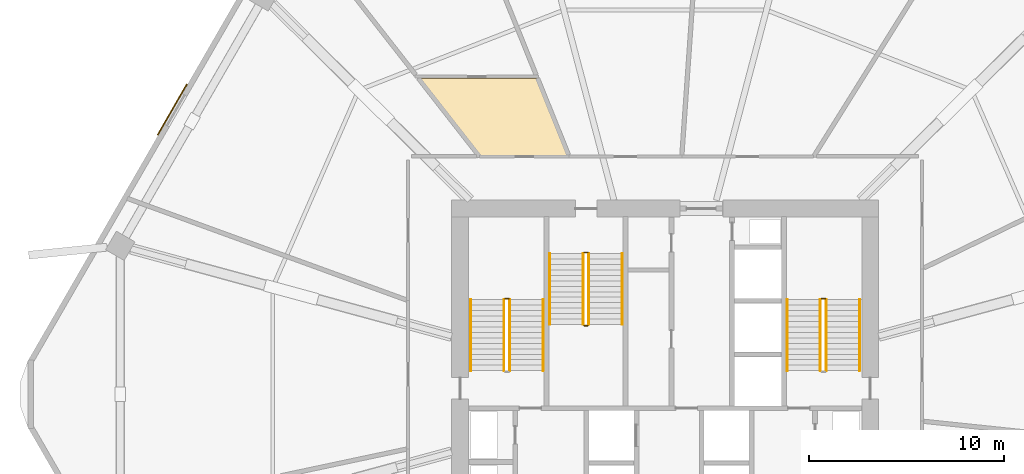
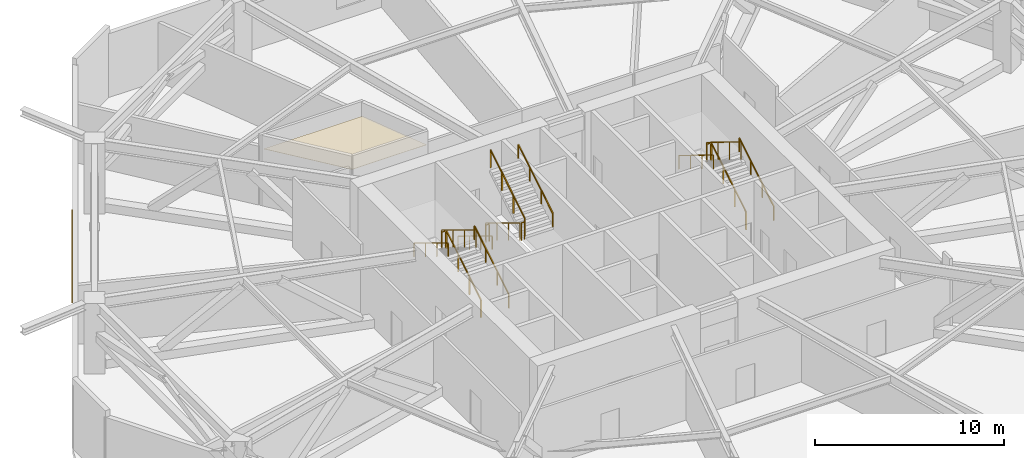
# One storey, part 9 of 10: 16 railings, 1 covering, 1 shading device.
"""IFC4 building model written with IfcOpenShell, lengths in metres."""

from ifc_helpers import new_model, si_unit, direction, frame, origin, origin_2d, place, context, subcontext, project, spatial, polyline, rectangle, outline, extrude, material, layer, layer_set, type_object, element, save


model = new_model("IFC4")

# Units and contexts
model_context = context("Model", 3, precision=1e-05, world=origin(), true_north=direction((0.0, 1.0)))
body_context = subcontext(model_context, "Body", "Model", "MODEL_VIEW")
ifc_project = project(units=[si_unit("LENGTHUNIT", "METRE"), si_unit("AREAUNIT", "SQUARE_METRE"), si_unit("VOLUMEUNIT", "CUBIC_METRE"), si_unit("PLANEANGLEUNIT", "RADIAN"), si_unit("MASSUNIT", "GRAM", prefix="KILO")], contexts=[model_context])

# Site, building, storey
site_placement = place(None, origin())
site = spatial("IfcSite", under=ifc_project, at=site_placement, CompositionType="ELEMENT")
building_placement = place(site_placement, origin())
building = spatial("IfcBuilding", under=site, at=building_placement, Name="Zuhravey Tower", CompositionType="ELEMENT")
storey_placement = place(building_placement, frame((0.0, 0.0, 87.60009765625)))
storey = spatial("IfcBuildingStorey", under=building, at=storey_placement, Name="L21", CompositionType="ELEMENT", Elevation=87.60009765625)

# Shading device
ifc_material_1 = material(Name="Bronze-anodised perforated aluminium", Category="aluminium")
ifc_layer_1 = layer(ifc_material_1, 0.06005859375)
ifc_layer_set_1 = layer_set([ifc_layer_1], Name="Bronze-anodised perforated aluminium")
shading_device_type = type_object("IfcShadingDeviceType", Name="Girih Mashrabiya Solar Screen", PredefinedType="USERDEFINED", material=ifc_layer_set_1)
shading_device_placement = place(storey_placement, frame((10.77392578125, 46.564208984375, 0.099609375), z_axis=(0.0, 0.0, 1.0), x_axis=(0.5, 0.866025403784, 0.0)))
element("IfcShadingDevice", 1, at=shading_device_placement, inside=storey, type_object=shading_device_type, Name="L21 Face 3 Girih Solar Screen SCR1", ObjectType="SCREEN", PredefinedType="USERDEFINED", context=body_context, shape_type="SweptSolid", body=[
    extrude(rectangle(XDim=3.0, YDim=0.06005859375, at=origin_2d()), origin(), (0.0, 0.0, 1.0), 3.922119140625),
])

# Covering
ifc_material_2 = material(Name="Moisture-resistant gypsum ceiling board")
ifc_layer_2 = layer(ifc_material_2, 0.02001953125)
ifc_layer_set_2 = layer_set([ifc_layer_2], Name="Moisture-resistant gypsum ceiling board")
covering_type = type_object("IfcCoveringType", Name="Moisture-Resistant Ceiling", PredefinedType="CEILING", material=ifc_layer_set_2)
covering_placement = place(storey_placement, frame((0.0, 0.0, 3.58984375)))
element("IfcCovering", 2, at=covering_placement, inside=storey, type_object=covering_type, Name="L21 Wet-Room Ceiling CLG2", PredefinedType="CEILING", context=body_context, shape_type="SweptSolid", body=[
    extrude(outline(polyline([(31.059326171875, 44.175048828125), (26.51318359375, 44.175048828125), (23.40380859375, 48.155029296875), (29.451416015625, 48.155029296875), (31.059326171875, 44.175048828125)])), origin(), (0.0, 0.0, 1.0), 0.02001953125),
])

# Railings
ifc_material_3 = material(Name="Brushed stainless steel", Category="steel")
railing_type_1 = type_object("IfcRailingType", Name="Stair Wall Handrail 900", PredefinedType="HANDRAIL", material=ifc_material_3)
railing_1_placement = place(storey_placement, frame((29.75, 33.199951171875, 0.17138671875)))
element("IfcRailing", 3, at=railing_1_placement, inside=storey, type_object=railing_type_1, Name="L21 ST1 stair handrail 1", PredefinedType="HANDRAIL", context=body_context, shape_type="SweptSolid", body=[
    extrude(rectangle(XDim=0.048095703125, YDim=0.048095703125, at=origin_2d()), frame((0.0, 0.001708984375, 0.876953125), z_axis=(0.0, 0.852865859571, 0.52213008492), x_axis=(-1.0, 0.0, 0.0)), (0.0, 0.0, 1.0), 4.26416015625),
    extrude(rectangle(XDim=0.0419921875, YDim=0.0419921875, at=origin_2d()), origin(), (0.0, 0.0, 1.0), 0.849853515625),
    extrude(rectangle(XDim=0.0419921875, YDim=0.0419921875, at=origin_2d()), frame((0.0, 1.21337890625, 0.742919921875)), (0.0, 0.0, 1.0), 0.849853515625),
    extrude(rectangle(XDim=0.0419921875, YDim=0.0419921875, at=origin_2d()), frame((0.0, 2.4267578125, 1.485595703125)), (0.0, 0.0, 1.0), 0.849853515625),
    extrude(rectangle(XDim=0.0419921875, YDim=0.0419921875, at=origin_2d()), frame((0.0, 3.64013671875, 2.228515625)), (0.0, 0.0, 1.0), 0.849853515625),
])
railing_2_placement = place(storey_placement, frame((26.050048828125, 36.840087890625, 2.5712890625)))
element("IfcRailing", 4, at=railing_2_placement, inside=storey, type_object=railing_type_1, Name="L21 ST1 stair handrail 2", PredefinedType="HANDRAIL", context=body_context, shape_type="SweptSolid", body=[
    extrude(rectangle(XDim=0.048095703125, YDim=0.048095703125, at=origin_2d()), frame((0.0, -0.001708984375, 0.876953125), z_axis=(0.0, -0.852865859571, 0.52213008492), x_axis=(1.0, 0.0, 0.0)), (0.0, 0.0, 1.0), 4.26416015625),
    extrude(rectangle(XDim=0.0419921875, YDim=0.0419921875, at=origin_2d()), origin(), (0.0, 0.0, 1.0), 0.849853515625),
    extrude(rectangle(XDim=0.0419921875, YDim=0.0419921875, at=origin_2d()), frame((0.0, -1.21337890625, 0.742919921875)), (0.0, 0.0, 1.0), 0.849853515625),
    extrude(rectangle(XDim=0.0419921875, YDim=0.0419921875, at=origin_2d()), frame((0.0, -2.4267578125, 1.485595703125)), (0.0, 0.0, 1.0), 0.849853515625),
    extrude(rectangle(XDim=0.0419921875, YDim=0.0419921875, at=origin_2d()), frame((0.0, -3.64013671875, 2.228515625)), (0.0, 0.0, 1.0), 0.849853515625),
])
railing_3_placement = place(storey_placement, frame((45.949951171875, 33.199951171875, 0.17138671875)))
element("IfcRailing", 5, at=railing_3_placement, inside=storey, type_object=railing_type_1, Name="L21 ST2 stair handrail 1", PredefinedType="HANDRAIL", context=body_context, shape_type="SweptSolid", body=[
    extrude(rectangle(XDim=0.048095703125, YDim=0.048095703125, at=origin_2d()), frame((0.0, 0.001708984375, 0.876953125), z_axis=(0.0, 0.852865859571, 0.52213008492), x_axis=(-1.0, 0.0, 0.0)), (0.0, 0.0, 1.0), 4.26416015625),
    extrude(rectangle(XDim=0.0419921875, YDim=0.0419921875, at=origin_2d()), origin(), (0.0, 0.0, 1.0), 0.849853515625),
    extrude(rectangle(XDim=0.0419921875, YDim=0.0419921875, at=origin_2d()), frame((0.0, 1.21337890625, 0.742919921875)), (0.0, 0.0, 1.0), 0.849853515625),
    extrude(rectangle(XDim=0.0419921875, YDim=0.0419921875, at=origin_2d()), frame((0.0, 2.4267578125, 1.485595703125)), (0.0, 0.0, 1.0), 0.849853515625),
    extrude(rectangle(XDim=0.0419921875, YDim=0.0419921875, at=origin_2d()), frame((0.0, 3.64013671875, 2.228515625)), (0.0, 0.0, 1.0), 0.849853515625),
])
railing_4_placement = place(storey_placement, frame((42.25, 36.840087890625, 2.5712890625)))
element("IfcRailing", 6, at=railing_4_placement, inside=storey, type_object=railing_type_1, Name="L21 ST2 stair handrail 2", PredefinedType="HANDRAIL", context=body_context, shape_type="SweptSolid", body=[
    extrude(rectangle(XDim=0.048095703125, YDim=0.048095703125, at=origin_2d()), frame((0.0, -0.001708984375, 0.876953125), z_axis=(0.0, -0.852865859571, 0.52213008492), x_axis=(1.0, 0.0, 0.0)), (0.0, 0.0, 1.0), 4.26416015625),
    extrude(rectangle(XDim=0.0419921875, YDim=0.0419921875, at=origin_2d()), origin(), (0.0, 0.0, 1.0), 0.849853515625),
    extrude(rectangle(XDim=0.0419921875, YDim=0.0419921875, at=origin_2d()), frame((0.0, -1.21337890625, 0.742919921875)), (0.0, 0.0, 1.0), 0.849853515625),
    extrude(rectangle(XDim=0.0419921875, YDim=0.0419921875, at=origin_2d()), frame((0.0, -2.4267578125, 1.485595703125)), (0.0, 0.0, 1.0), 0.849853515625),
    extrude(rectangle(XDim=0.0419921875, YDim=0.0419921875, at=origin_2d()), frame((0.0, -3.64013671875, 2.228515625)), (0.0, 0.0, 1.0), 0.849853515625),
])
railing_5_placement = place(storey_placement, frame((30.10009765625, 39.199951171875, 0.17138671875)))
element("IfcRailing", 7, at=railing_5_placement, inside=storey, type_object=railing_type_1, Name="L21 ST3 stair handrail 1", PredefinedType="HANDRAIL", context=body_context, shape_type="SweptSolid", body=[
    extrude(rectangle(XDim=0.048095703125, YDim=0.048095703125, at=origin_2d()), frame((0.0, -0.001708984375, 0.876953125), z_axis=(0.0, -0.852850264322, 0.5221555579), x_axis=(1.0, 0.0, 0.0)), (0.0, 0.0, 1.0), 4.263916015625),
    extrude(rectangle(XDim=0.0419921875, YDim=0.0419921875, at=origin_2d()), origin(), (0.0, 0.0, 1.0), 0.849853515625),
    extrude(rectangle(XDim=0.0419921875, YDim=0.0419921875, at=origin_2d()), frame((0.0, -1.21337890625, 0.742919921875)), (0.0, 0.0, 1.0), 0.849853515625),
    extrude(rectangle(XDim=0.0419921875, YDim=0.0419921875, at=origin_2d()), frame((0.0, -2.426513671875, 1.485595703125)), (0.0, 0.0, 1.0), 0.849853515625),
    extrude(rectangle(XDim=0.0419921875, YDim=0.0419921875, at=origin_2d()), frame((0.0, -3.639892578125, 2.228515625)), (0.0, 0.0, 1.0), 0.849853515625),
])
railing_6_placement = place(storey_placement, frame((33.800048828125, 35.56005859375, 2.5712890625)))
element("IfcRailing", 8, at=railing_6_placement, inside=storey, type_object=railing_type_1, Name="L21 ST3 stair handrail 2", PredefinedType="HANDRAIL", context=body_context, shape_type="SweptSolid", body=[
    extrude(rectangle(XDim=0.048095703125, YDim=0.048095703125, at=origin_2d()), frame((0.0, 0.001708984375, 0.876953125), z_axis=(0.0, 0.852850264322, 0.5221555579), x_axis=(-1.0, 0.0, 0.0)), (0.0, 0.0, 1.0), 4.263916015625),
    extrude(rectangle(XDim=0.0419921875, YDim=0.0419921875, at=origin_2d()), origin(), (0.0, 0.0, 1.0), 0.849853515625),
    extrude(rectangle(XDim=0.0419921875, YDim=0.0419921875, at=origin_2d()), frame((0.0, 1.21337890625, 0.742919921875)), (0.0, 0.0, 1.0), 0.849853515625),
    extrude(rectangle(XDim=0.0419921875, YDim=0.0419921875, at=origin_2d()), frame((0.0, 2.426513671875, 1.485595703125)), (0.0, 0.0, 1.0), 0.849853515625),
    extrude(rectangle(XDim=0.0419921875, YDim=0.0419921875, at=origin_2d()), frame((0.0, 3.639892578125, 2.228515625)), (0.0, 0.0, 1.0), 0.849853515625),
])
ifc_material_4 = material(Name="Painted tubular steel", Category="steel")
railing_type_2 = type_object("IfcRailingType", Name="Stair Well Guardrail 1150", PredefinedType="GUARDRAIL", material=ifc_material_4)
railing_7_placement = place(storey_placement, frame((28.050048828125, 33.199951171875, 0.17138671875)))
element("IfcRailing", 9, at=railing_7_placement, inside=storey, type_object=railing_type_2, Name="L21 ST1 stair guard 1", PredefinedType="GUARDRAIL", context=body_context, shape_type="SweptSolid", body=[
    extrude(rectangle(XDim=0.048095703125, YDim=0.048095703125, at=origin_2d()), frame((0.0, 0.001708984375, 1.126953125), z_axis=(0.0, 0.852865859571, 0.52213008492), x_axis=(-1.0, 0.0, 0.0)), (0.0, 0.0, 1.0), 4.26416015625),
    extrude(rectangle(XDim=0.0419921875, YDim=0.0419921875, at=origin_2d()), origin(), (0.0, 0.0, 1.0), 1.099853515625),
    extrude(rectangle(XDim=0.0419921875, YDim=0.0419921875, at=origin_2d()), frame((0.0, 1.21337890625, 0.742919921875)), (0.0, 0.0, 1.0), 1.099853515625),
    extrude(rectangle(XDim=0.0419921875, YDim=0.0419921875, at=origin_2d()), frame((0.0, 2.4267578125, 1.485595703125)), (0.0, 0.0, 1.0), 1.099853515625),
    extrude(rectangle(XDim=0.0419921875, YDim=0.0419921875, at=origin_2d()), frame((0.0, 3.64013671875, 2.228515625)), (0.0, 0.0, 1.0), 1.099853515625),
])
railing_8_placement = place(storey_placement, frame((28.0, 36.889892578125, 2.39990234375)))
element("IfcRailing", 10, at=railing_8_placement, inside=storey, type_object=railing_type_2, Name="L21 ST1 stair guard 2", PredefinedType="GUARDRAIL", context=body_context, shape_type="SweptSolid", body=[
    extrude(rectangle(XDim=0.048095703125, YDim=0.048095703125, at=origin_2d()), frame((-0.001953125, 0.0, 1.1259765625), z_axis=(-1.0, 0.0, 0.0), x_axis=(0.0, -1.0, 0.0)), (0.0, 0.0, 1.0), 0.196044921875),
    extrude(rectangle(XDim=0.0419921875, YDim=0.0419921875, at=origin_2d()), origin(), (0.0, 0.0, 1.0), 1.099853515625),
    extrude(rectangle(XDim=0.0419921875, YDim=0.0419921875, at=origin_2d()), frame((-0.199951171875, 0.0, 0.0)), (0.0, 0.0, 1.0), 1.099853515625),
])
railing_9_placement = place(storey_placement, frame((27.75, 36.840087890625, 2.5712890625)))
element("IfcRailing", 11, at=railing_9_placement, inside=storey, type_object=railing_type_2, Name="L21 ST1 stair guard 3", PredefinedType="GUARDRAIL", context=body_context, shape_type="SweptSolid", body=[
    extrude(rectangle(XDim=0.048095703125, YDim=0.048095703125, at=origin_2d()), frame((0.0, -0.001708984375, 1.126953125), z_axis=(0.0, -0.852865859571, 0.52213008492), x_axis=(1.0, 0.0, 0.0)), (0.0, 0.0, 1.0), 4.26416015625),
    extrude(rectangle(XDim=0.0419921875, YDim=0.0419921875, at=origin_2d()), origin(), (0.0, 0.0, 1.0), 1.099853515625),
    extrude(rectangle(XDim=0.0419921875, YDim=0.0419921875, at=origin_2d()), frame((0.0, -1.21337890625, 0.742919921875)), (0.0, 0.0, 1.0), 1.099853515625),
    extrude(rectangle(XDim=0.0419921875, YDim=0.0419921875, at=origin_2d()), frame((0.0, -2.4267578125, 1.485595703125)), (0.0, 0.0, 1.0), 1.099853515625),
    extrude(rectangle(XDim=0.0419921875, YDim=0.0419921875, at=origin_2d()), frame((0.0, -3.64013671875, 2.228515625)), (0.0, 0.0, 1.0), 1.099853515625),
])
railing_10_placement = place(storey_placement, frame((44.25, 33.199951171875, 0.17138671875)))
element("IfcRailing", 12, at=railing_10_placement, inside=storey, type_object=railing_type_2, Name="L21 ST2 stair guard 1", PredefinedType="GUARDRAIL", context=body_context, shape_type="SweptSolid", body=[
    extrude(rectangle(XDim=0.048095703125, YDim=0.048095703125, at=origin_2d()), frame((0.0, 0.001708984375, 1.126953125), z_axis=(0.0, 0.852865859571, 0.52213008492), x_axis=(-1.0, 0.0, 0.0)), (0.0, 0.0, 1.0), 4.26416015625),
    extrude(rectangle(XDim=0.0419921875, YDim=0.0419921875, at=origin_2d()), origin(), (0.0, 0.0, 1.0), 1.099853515625),
    extrude(rectangle(XDim=0.0419921875, YDim=0.0419921875, at=origin_2d()), frame((0.0, 1.21337890625, 0.742919921875)), (0.0, 0.0, 1.0), 1.099853515625),
    extrude(rectangle(XDim=0.0419921875, YDim=0.0419921875, at=origin_2d()), frame((0.0, 2.4267578125, 1.485595703125)), (0.0, 0.0, 1.0), 1.099853515625),
    extrude(rectangle(XDim=0.0419921875, YDim=0.0419921875, at=origin_2d()), frame((0.0, 3.64013671875, 2.228515625)), (0.0, 0.0, 1.0), 1.099853515625),
])
railing_11_placement = place(storey_placement, frame((44.199951171875, 36.889892578125, 2.39990234375)))
element("IfcRailing", 13, at=railing_11_placement, inside=storey, type_object=railing_type_2, Name="L21 ST2 stair guard 2", PredefinedType="GUARDRAIL", context=body_context, shape_type="SweptSolid", body=[
    extrude(rectangle(XDim=0.048095703125, YDim=0.048095703125, at=origin_2d()), frame((-0.001953125, 0.0, 1.1259765625), z_axis=(-1.0, 0.0, 0.0), x_axis=(0.0, -1.0, 0.0)), (0.0, 0.0, 1.0), 0.196044921875),
    extrude(rectangle(XDim=0.0419921875, YDim=0.0419921875, at=origin_2d()), origin(), (0.0, 0.0, 1.0), 1.099853515625),
    extrude(rectangle(XDim=0.0419921875, YDim=0.0419921875, at=origin_2d()), frame((-0.199951171875, 0.0, 0.0)), (0.0, 0.0, 1.0), 1.099853515625),
])
railing_12_placement = place(storey_placement, frame((43.949951171875, 36.840087890625, 2.5712890625)))
element("IfcRailing", 14, at=railing_12_placement, inside=storey, type_object=railing_type_2, Name="L21 ST2 stair guard 3", PredefinedType="GUARDRAIL", context=body_context, shape_type="SweptSolid", body=[
    extrude(rectangle(XDim=0.048095703125, YDim=0.048095703125, at=origin_2d()), frame((0.0, -0.001708984375, 1.126953125), z_axis=(0.0, -0.852865859571, 0.52213008492), x_axis=(1.0, 0.0, 0.0)), (0.0, 0.0, 1.0), 4.26416015625),
    extrude(rectangle(XDim=0.0419921875, YDim=0.0419921875, at=origin_2d()), origin(), (0.0, 0.0, 1.0), 1.099853515625),
    extrude(rectangle(XDim=0.0419921875, YDim=0.0419921875, at=origin_2d()), frame((0.0, -1.21337890625, 0.742919921875)), (0.0, 0.0, 1.0), 1.099853515625),
    extrude(rectangle(XDim=0.0419921875, YDim=0.0419921875, at=origin_2d()), frame((0.0, -2.4267578125, 1.485595703125)), (0.0, 0.0, 1.0), 1.099853515625),
    extrude(rectangle(XDim=0.0419921875, YDim=0.0419921875, at=origin_2d()), frame((0.0, -3.64013671875, 2.228515625)), (0.0, 0.0, 1.0), 1.099853515625),
])
railing_13_placement = place(storey_placement, frame((31.800048828125, 39.199951171875, 0.17138671875)))
element("IfcRailing", 15, at=railing_13_placement, inside=storey, type_object=railing_type_2, Name="L21 ST3 stair guard 1", PredefinedType="GUARDRAIL", context=body_context, shape_type="SweptSolid", body=[
    extrude(rectangle(XDim=0.048095703125, YDim=0.048095703125, at=origin_2d()), frame((0.0, -0.001708984375, 1.126953125), z_axis=(0.0, -0.852850264322, 0.5221555579), x_axis=(1.0, 0.0, 0.0)), (0.0, 0.0, 1.0), 4.263916015625),
    extrude(rectangle(XDim=0.0419921875, YDim=0.0419921875, at=origin_2d()), origin(), (0.0, 0.0, 1.0), 1.099853515625),
    extrude(rectangle(XDim=0.0419921875, YDim=0.0419921875, at=origin_2d()), frame((0.0, -1.21337890625, 0.742919921875)), (0.0, 0.0, 1.0), 1.099853515625),
    extrude(rectangle(XDim=0.0419921875, YDim=0.0419921875, at=origin_2d()), frame((0.0, -2.426513671875, 1.485595703125)), (0.0, 0.0, 1.0), 1.099853515625),
    extrude(rectangle(XDim=0.0419921875, YDim=0.0419921875, at=origin_2d()), frame((0.0, -3.639892578125, 2.228515625)), (0.0, 0.0, 1.0), 1.099853515625),
])
railing_14_placement = place(storey_placement, frame((31.85009765625, 35.510009765625, 2.39990234375)))
element("IfcRailing", 16, at=railing_14_placement, inside=storey, type_object=railing_type_2, Name="L21 ST3 stair guard 2", PredefinedType="GUARDRAIL", context=body_context, shape_type="SweptSolid", body=[
    extrude(rectangle(XDim=0.048095703125, YDim=0.048095703125, at=origin_2d()), frame((0.001953125, 0.0, 1.1259765625), z_axis=(1.0, 0.0, 0.0), x_axis=(0.0, 1.0, 0.0)), (0.0, 0.0, 1.0), 0.196044921875),
    extrude(rectangle(XDim=0.0419921875, YDim=0.0419921875, at=origin_2d()), origin(), (0.0, 0.0, 1.0), 1.099853515625),
    extrude(rectangle(XDim=0.0419921875, YDim=0.0419921875, at=origin_2d()), frame((0.199951171875, 0.0, 0.0)), (0.0, 0.0, 1.0), 1.099853515625),
])
railing_15_placement = place(storey_placement, frame((32.10009765625, 35.56005859375, 2.5712890625)))
element("IfcRailing", 17, at=railing_15_placement, inside=storey, type_object=railing_type_2, Name="L21 ST3 stair guard 3", PredefinedType="GUARDRAIL", context=body_context, shape_type="SweptSolid", body=[
    extrude(rectangle(XDim=0.048095703125, YDim=0.048095703125, at=origin_2d()), frame((0.0, 0.001708984375, 1.126953125), z_axis=(0.0, 0.852850264322, 0.5221555579), x_axis=(-1.0, 0.0, 0.0)), (0.0, 0.0, 1.0), 4.263916015625),
    extrude(rectangle(XDim=0.0419921875, YDim=0.0419921875, at=origin_2d()), origin(), (0.0, 0.0, 1.0), 1.099853515625),
    extrude(rectangle(XDim=0.0419921875, YDim=0.0419921875, at=origin_2d()), frame((0.0, 1.21337890625, 0.742919921875)), (0.0, 0.0, 1.0), 1.099853515625),
    extrude(rectangle(XDim=0.0419921875, YDim=0.0419921875, at=origin_2d()), frame((0.0, 2.426513671875, 1.485595703125)), (0.0, 0.0, 1.0), 1.099853515625),
    extrude(rectangle(XDim=0.0419921875, YDim=0.0419921875, at=origin_2d()), frame((0.0, 3.639892578125, 2.228515625)), (0.0, 0.0, 1.0), 1.099853515625),
])
railing_16_placement = place(storey_placement, frame((31.85009765625, 39.25, 0.0)))
element("IfcRailing", 18, at=railing_16_placement, inside=storey, type_object=railing_type_2, Name="L21 ST3 stair guard 4", PredefinedType="GUARDRAIL", context=body_context, shape_type="SweptSolid", body=[
    extrude(rectangle(XDim=0.048095703125, YDim=0.048095703125, at=origin_2d()), frame((0.001953125, 0.0, 1.1259765625), z_axis=(1.0, 0.0, 0.0), x_axis=(0.0, 1.0, 0.0)), (0.0, 0.0, 1.0), 0.196044921875),
    extrude(rectangle(XDim=0.0419921875, YDim=0.0419921875, at=origin_2d()), origin(), (0.0, 0.0, 1.0), 1.099853515625),
    extrude(rectangle(XDim=0.0419921875, YDim=0.0419921875, at=origin_2d()), frame((0.199951171875, 0.0, 0.0)), (0.0, 0.0, 1.0), 1.099853515625),
])

save(model, "model.ifc")
